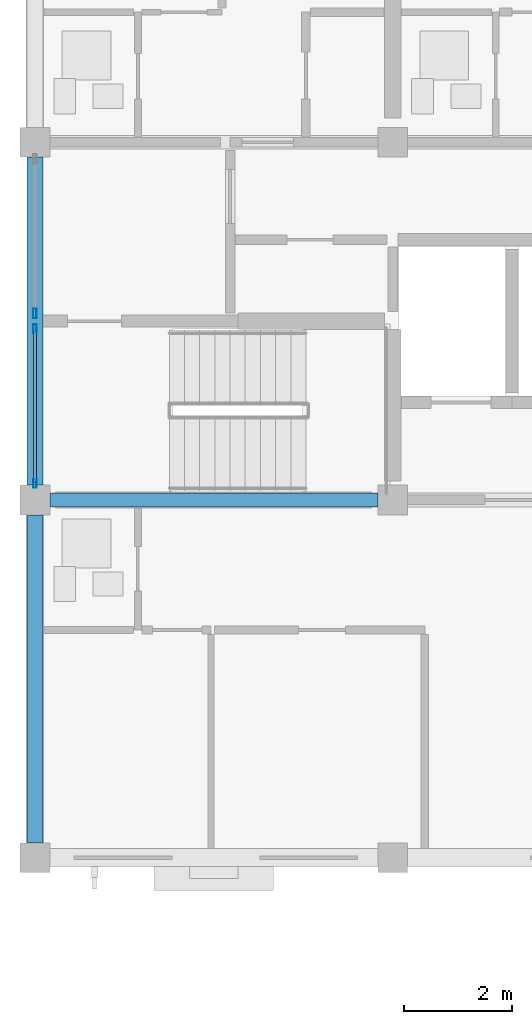
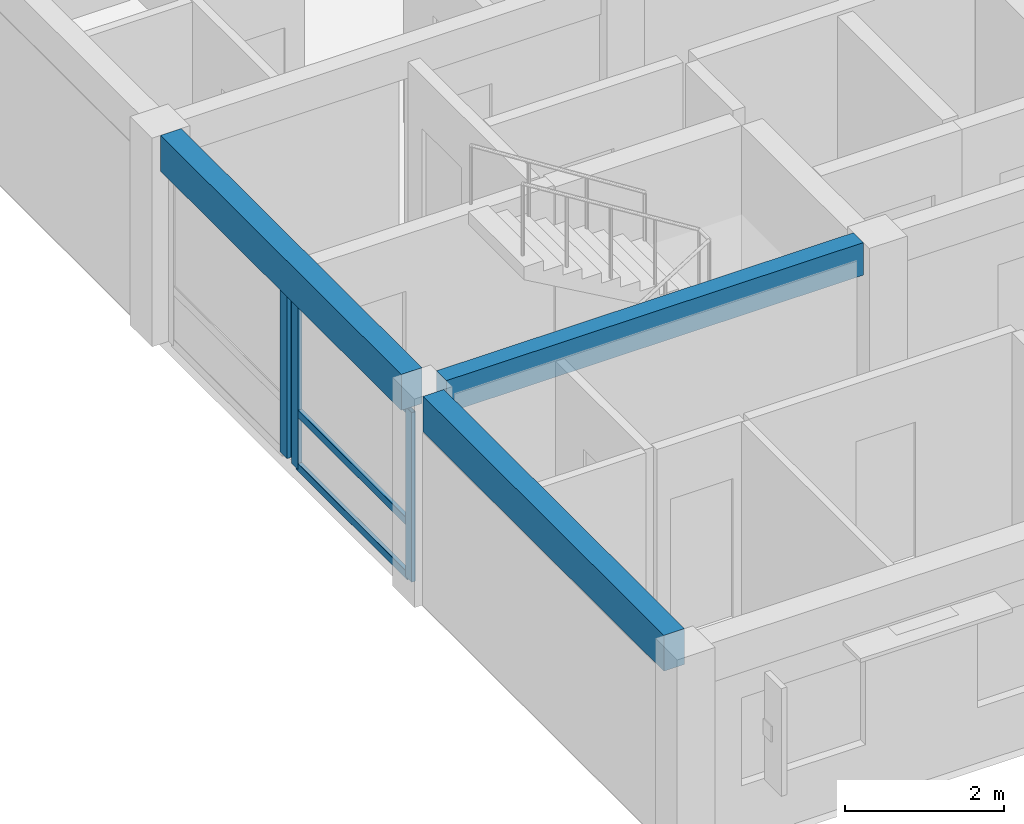
# One storey, part 15 of 53: 6 members, 3 beams, 2 elements without a shape of their own.
"""IFC4 building model written with IfcOpenShell, lengths in metres."""

import ifcopenshell
import ifcopenshell.guid

model = None  # the IFC model being written
_history = None  # IfcOwnerHistory: only IFC2X3 demands one
_inside = {}  # id of a spatial element -> (the spatial element, [elements in it])
_under = {}  # id of a project, library or spatial element -> (it, [spatial elements below it])
_declared = {}  # id of a project -> (the project, [libraries it declares])
_typed = {}  # id of a type object -> (the type object, [elements of that type])
_made_of = {}  # id of a material, layer set ... -> (it, [elements and type objects made of it])


def new_model(schema):
    """Start an empty IFC model of exactly this schema.

    Asked for "IFC4X3", IfcOpenShell would pick the latest addendum, in which some entities
    have other attributes; the version numbers below select the first issue.
    IFC2X3 requires an IfcOwnerHistory on every rooted entity: one is made here for all.
    """
    global model, _history
    if schema == "IFC4X3":
        model = ifcopenshell.file(schema_version=(4, 3, 0, 0))
    else:
        model = ifcopenshell.file(schema=schema)
    _inside.clear()
    _under.clear()
    _declared.clear()
    _typed.clear()
    _made_of.clear()
    _history = None
    if model.schema == "IFC2X3":
        org = make("IfcOrganization", Name="unknown")
        user = make(
            "IfcPersonAndOrganization",
            ThePerson=make("IfcPerson", FamilyName="unknown"),
            TheOrganization=org,
        )
        app = make(
            "IfcApplication",
            ApplicationDeveloper=org,
            Version="unknown",
            ApplicationFullName="unknown",
            ApplicationIdentifier="unknown",
        )
        _history = make(
            "IfcOwnerHistory",
            OwningUser=user,
            OwningApplication=app,
            ChangeAction="ADDED",
            CreationDate=0,
        )
    return model


def make(cls, **values):
    """One entity of the class cls with the attributes given. An attribute that is None is left unset."""
    return model.create_entity(
        cls, **{name: value for name, value in values.items() if value is not None}
    )


def rooted(cls, **values):
    """An entity with a GlobalId (a new one), such as an element, a storey or a relation."""
    return make(cls, GlobalId=ifcopenshell.guid.new(), OwnerHistory=_history, **values)


def si_unit(unit_type, name, prefix=None):
    """IfcSIUnit, for example si_unit("LENGTHUNIT", "METRE", prefix="MILLI")."""
    return make("IfcSIUnit", UnitType=unit_type, Prefix=prefix, Name=name)


def assignment(units):
    """IfcUnitAssignment: the units of a project."""
    return None if units is None else make("IfcUnitAssignment", Units=units)


def point(xyz):
    """IfcCartesianPoint."""
    return None if xyz is None else make("IfcCartesianPoint", Coordinates=xyz)


def direction(xyz):
    """IfcDirection."""
    return None if xyz is None else make("IfcDirection", DirectionRatios=xyz)


def frame(location, z_axis=None, x_axis=None):
    """IfcAxis2Placement3D, a coordinate frame: its origin and axes. An axis left out is left unset."""
    return make(
        "IfcAxis2Placement3D",
        Location=point(location),
        Axis=direction(z_axis),
        RefDirection=direction(x_axis),
    )


def frame_2d(location, x_axis=None):
    """IfcAxis2Placement2D, a coordinate frame in the plane: its origin and x axis."""
    return make(
        "IfcAxis2Placement2D", Location=point(location), RefDirection=direction(x_axis)
    )


def origin():
    """The frame at (0, 0, 0) with its axes left unset."""
    return frame((0.0, 0.0, 0.0))


def origin_2d():
    """The frame at (0, 0) in the plane with its x axis left unset."""
    return frame_2d((0.0, 0.0))


def place(relative_to, where):
    """IfcLocalPlacement: puts the frame where relative to a parent placement (None: the world)."""
    return make(
        "IfcLocalPlacement", PlacementRelTo=relative_to, RelativePlacement=where
    )


def context(
    kind, dimensions, precision=None, world=None, true_north=None, identifier=None
):
    """IfcGeometricRepresentationContext, for example the 3D "Model" context."""
    return make(
        "IfcGeometricRepresentationContext",
        ContextIdentifier=identifier,
        ContextType=kind,
        CoordinateSpaceDimension=dimensions,
        Precision=precision,
        WorldCoordinateSystem=world,
        TrueNorth=true_north,
    )


def subcontext(parent, identifier, kind, view, scale=None):
    """IfcGeometricRepresentationSubContext, for example "Body" below "Model"."""
    return make(
        "IfcGeometricRepresentationSubContext",
        ContextIdentifier=identifier,
        ContextType=kind,
        ParentContext=parent,
        TargetScale=scale,
        TargetView=view,
    )


def project(units=None, contexts=None):
    """IfcProject with its units and contexts."""
    return rooted(
        "IfcProject",
        Name="project",
        RepresentationContexts=contexts,
        UnitsInContext=assignment(units),
    )


def spatial(cls, under=None, at=None, **own):
    """A site, building, storey or space (cls), placed at a placement, below another one or the project."""
    s = rooted(cls, ObjectPlacement=at, **own)
    if under is not None:
        _under.setdefault(under.id(), (under, []))[1].append(s)
    return s


def profile(cls, at=None, kind="AREA", **sizes):
    """A parametric profile (cls). Its sizes go by their IFC names, for example OverallWidth=200.0."""
    return make(cls, ProfileType=kind, Position=at, **sizes)


def rectangle(**sizes):
    """IfcRectangleProfileDef."""
    return profile("IfcRectangleProfileDef", **sizes)


def hollow_rectangle(**sizes):
    """IfcRectangleHollowProfileDef."""
    return profile("IfcRectangleHollowProfileDef", **sizes)


def extrude(swept, where, along, depth):
    """IfcExtrudedAreaSolid: the profile swept, set in the frame where, extruded along a direction by depth."""
    return make(
        "IfcExtrudedAreaSolid",
        SweptArea=swept,
        Position=where,
        ExtrudedDirection=direction(along),
        Depth=depth,
    )


def shape(context_of_items, identifier, shape_type, items):
    """IfcShapeRepresentation: the items that make up one representation, for example the "Body"."""
    return make(
        "IfcShapeRepresentation",
        ContextOfItems=context_of_items,
        RepresentationIdentifier=identifier,
        RepresentationType=shape_type,
        Items=items,
    )


def material(Name=None, Category=None):
    """IfcMaterial."""
    return make("IfcMaterial", Name=Name, Category=Category)


def material_profile(
    of_material, cross_section, Name=None, Category=None, Priority=None
):
    """IfcMaterialProfile: a cross section and its material."""
    return make(
        "IfcMaterialProfile",
        Name=Name,
        Material=of_material,
        Profile=cross_section,
        Priority=Priority,
        Category=Category,
    )


def profile_set(profiles, Name=None, composite=None):
    """IfcMaterialProfileSet."""
    return make(
        "IfcMaterialProfileSet",
        Name=Name,
        MaterialProfiles=profiles,
        CompositeProfile=composite,
    )


def made_of(thing, what):
    """Note that an element or type object is made of a material, layer set ...; save() writes the relation."""
    if what is not None:
        _made_of.setdefault(what.id(), (what, []))[1].append(thing)
    return thing


def type_object(cls, material=None, **own):
    """A type object (cls), such as IfcWallType, which elements share."""
    return made_of(rooted(cls, **own), material)


def element(
    cls,
    number,
    at=None,
    inside=None,
    cuts=None,
    type_object=None,
    material=None,
    context=None,
    identifier="Body",
    shape_type=None,
    held_by="IfcProductDefinitionShape",
    body=None,
    shapes=None,
    **own,
):
    """One element of the class cls, such as IfcWall. Its Tag is "e" and its number.

    at: its placement. inside: the storey or other place that contains it. cuts: it is an
    opening in that element (IfcRelVoidsElement). A single representation is given by context,
    identifier, shape_type and body (its items); several are given by shapes. held_by: the class
    of the entity that holds the representations. save() writes the other relations.
    """
    e = rooted(cls, Tag="e%d" % number, ObjectPlacement=at, **own)
    if body is not None:
        shapes = [shape(context, identifier, shape_type, body)]
    if shapes is not None:
        e.Representation = make(held_by, Representations=shapes)
    if inside is not None:
        _inside.setdefault(inside.id(), (inside, []))[1].append(e)
    if cuts is not None:
        rooted(
            "IfcRelVoidsElement", RelatingBuildingElement=cuts, RelatedOpeningElement=e
        )
    if type_object is not None:
        _typed.setdefault(type_object.id(), (type_object, []))[1].append(e)
    return made_of(e, material)


def aggregate(whole, parts):
    """IfcRelAggregates: a whole, such as a stair, and the parts it consists of."""
    return rooted("IfcRelAggregates", RelatingObject=whole, RelatedObjects=parts)


def save(model, path):
    """Write the relations noted so far, then the file.

    IfcRelAggregates (storeys below a building ...), IfcRelContainedInSpatialStructure (elements
    in a storey), IfcRelDefinesByType, IfcRelAssociatesMaterial and IfcRelDeclares: one each for
    every whole, place, type object, material and project.
    """
    for whole, parts in _under.values():
        aggregate(whole, parts)
    for where, things in _inside.values():
        rooted(
            "IfcRelContainedInSpatialStructure",
            RelatedElements=things,
            RelatingStructure=where,
        )
    for kind, things in _typed.values():
        rooted("IfcRelDefinesByType", RelatedObjects=things, RelatingType=kind)
    for what, things in _made_of.values():
        rooted("IfcRelAssociatesMaterial", RelatedObjects=things, RelatingMaterial=what)
    for by, libraries in _declared.values():
        rooted("IfcRelDeclares", RelatingContext=by, RelatedDefinitions=libraries)
    model.write(path)


model = new_model("IFC4")

# Units and contexts
model_context = context("Model", 3, precision=1e-05, world=origin(), true_north=direction((0.0, 1.0)))
body_context = subcontext(model_context, "Body", "Model", "MODEL_VIEW")
ifc_project = project(units=[si_unit("LENGTHUNIT", "METRE"), si_unit("AREAUNIT", "SQUARE_METRE"), si_unit("VOLUMEUNIT", "CUBIC_METRE"), si_unit("PLANEANGLEUNIT", "RADIAN"), si_unit("MASSUNIT", "GRAM", prefix="KILO")], contexts=[model_context])

# Site, building, storey
site_placement = place(None, origin())
site = spatial("IfcSite", under=ifc_project, at=site_placement, CompositionType="ELEMENT")
building_placement = place(site_placement, origin())
building = spatial("IfcBuilding", under=site, at=building_placement, Name="Kernevlak Ridge Housing Community", CompositionType="ELEMENT")
storey_placement = place(building_placement, frame((0.0, 0.0, 24.39990234375)))
storey = spatial("IfcBuildingStorey", under=building, at=storey_placement, Name="L07", CompositionType="ELEMENT", Elevation=24.39990234375)

# Beam
ifc_material_1 = material(Name="Concrete C35/45", Category="concrete")
ifc_material_profile_1 = material_profile(ifc_material_1, rectangle(XDim=0.25, YDim=0.5, at=origin_2d()), Name="RC 250x500")
ifc_profile_set_1 = profile_set([ifc_material_profile_1], Name="Concrete C35/45")
beam_type_1 = type_object("IfcBeamType", Name="B-06", PredefinedType="T_BEAM", material=ifc_profile_set_1)
beam_placement = place(storey_placement, frame((15.875, 82.60009765625, 2.9501953125), z_axis=(1.0, 0.0, 0.0), x_axis=(0.0, 1.0, 0.0)))
element("IfcBeam", 1, at=beam_placement, inside=storey, type_object=beam_type_1, Name="Beam B-06 L07 244", PredefinedType="T_BEAM", context=body_context, shape_type="SweptSolid", body=[
    extrude(rectangle(XDim=0.25, YDim=0.5, at=origin_2d()), origin(), (0.0, 0.0, 1.0), 6.050048828125),
])

# Curtain wall, members
ifc_material_2 = material(Name="Aluminium EN AW-6060 anodised and laminated glass", Category="aluminium")
curtain_wall_type_1 = type_object("IfcCurtainWallType", Name="CW-01", PredefinedType="NOTDEFINED", material=ifc_material_2)
curtain_wall_1_placement = place(storey_placement, origin())
curtain_wall_1 = element("IfcCurtainWall", 2, at=curtain_wall_1_placement, inside=storey, type_object=curtain_wall_type_1, Name="Curtain wall CW-01 CW-L07-022", PredefinedType="NOTDEFINED")
ifc_material_3 = material(Name="Aluminium EN AW-6060 anodised", Category="aluminium")
ifc_material_profile_2 = material_profile(ifc_material_3, hollow_rectangle(XDim=0.06005859375, YDim=0.159912109375, WallThickness=0.00390625, InnerFilletRadius=0.001953125, OuterFilletRadius=0.00390625, at=origin_2d()), Name="ALU 60x160x4")
ifc_profile_set_2 = profile_set([ifc_material_profile_2], Name="Aluminium EN AW-6060 anodised")
member_type_1 = type_object("IfcMemberType", Name="MU-02", PredefinedType="MULLION", material=ifc_profile_set_2)
member_1_placement = place(storey_placement, frame((15.60009765625, 82.905029296875, 0.0), z_axis=(0.0, 0.0, 1.0), x_axis=(-1.0, 0.0, 0.0)))
member_1 = element("IfcMember", 3, at=member_1_placement, type_object=member_type_1, Name="CW-01 mullion 1", PredefinedType="MULLION", context=body_context, shape_type="SweptSolid", body=[
    extrude(hollow_rectangle(XDim=0.06005859375, YDim=0.159912109375, WallThickness=0.00390625, InnerFilletRadius=0.001953125, OuterFilletRadius=0.00390625, at=origin_2d()), origin(), (0.0, 0.0, 1.0), 2.60009765625),
])
member_2_placement = place(storey_placement, frame((15.60009765625, 85.760009765625, 0.0), z_axis=(0.0, 0.0, 1.0), x_axis=(-1.0, 0.0, 0.0)))
member_2 = element("IfcMember", 4, at=member_2_placement, type_object=member_type_1, Name="CW-01 mullion 2", PredefinedType="MULLION", context=body_context, shape_type="SweptSolid", body=[
    extrude(hollow_rectangle(XDim=0.06005859375, YDim=0.159912109375, WallThickness=0.00390625, InnerFilletRadius=0.001953125, OuterFilletRadius=0.00390625, at=origin_2d()), origin(), (0.0, 0.0, 1.0), 2.60009765625),
])

# Curtain wall, member
curtain_wall_type_2 = type_object("IfcCurtainWallType", Name="CW-08", PredefinedType="NOTDEFINED", material=ifc_material_2)
curtain_wall_2_placement = place(storey_placement, origin())
curtain_wall_2 = element("IfcCurtainWall", 5, at=curtain_wall_2_placement, inside=storey, type_object=curtain_wall_type_2, Name="Curtain wall CW-08 CW-L07-023", PredefinedType="NOTDEFINED")
ifc_material_profile_3 = material_profile(ifc_material_3, hollow_rectangle(XDim=0.06494140625, YDim=0.179931640625, WallThickness=0.00439453125, InnerFilletRadius=0.001953125, OuterFilletRadius=0.00439453125, at=origin_2d()), Name="ALU 65x180x4.5")
ifc_profile_set_3 = profile_set([ifc_material_profile_3], Name="Aluminium EN AW-6060 anodised")
member_type_2 = type_object("IfcMemberType", Name="MU-03", PredefinedType="MULLION", material=ifc_profile_set_3)
member_3_placement = place(storey_placement, frame((15.60009765625, 86.04248046875, 0.0), z_axis=(0.0, 0.0, 1.0), x_axis=(-1.0, 0.0, 0.0)))
member_3 = element("IfcMember", 6, at=member_3_placement, type_object=member_type_2, Name="CW-08 mullion 1", PredefinedType="MULLION", context=body_context, shape_type="SweptSolid", body=[
    extrude(hollow_rectangle(XDim=0.06494140625, YDim=0.179931640625, WallThickness=0.00439453125, InnerFilletRadius=0.001953125, OuterFilletRadius=0.00439453125, at=origin_2d()), origin(), (0.0, 0.0, 1.0), 2.60009765625),
])
aggregate(curtain_wall_2, [member_3])

# Beams
ifc_material_profile_4 = material_profile(ifc_material_1, rectangle(XDim=0.300048828125, YDim=0.550048828125, at=origin_2d()), Name="RC 300x550")
ifc_profile_set_4 = profile_set([ifc_material_profile_4], Name="Concrete C35/45")
beam_type_2 = type_object("IfcBeamType", Name="SP-01", PredefinedType="SPANDREL", material=ifc_profile_set_4)
for number, where, z_axis, x_axis, name in (
    (7, (15.60009765625, 76.27490234375, 2.925048828125), (0.0, 1.0, 0.0), (-1.0, 0.0, 0.0), "Beam SP-01 L07 259"),
    (8, (15.60009765625, 82.875, 2.925048828125), (0.0, 1.0, 0.0), (-1.0, 0.0, 0.0), "Beam SP-01 L07 260"),
):
    element("IfcBeam", number, at=place(storey_placement, frame(where, z_axis=z_axis, x_axis=x_axis)), inside=storey, type_object=beam_type_2, Name=name, PredefinedType="SPANDREL", context=body_context, shape_type="SweptSolid", body=[
        extrude(rectangle(XDim=0.300048828125, YDim=0.550048828125, at=origin_2d()), origin(), (0.0, 0.0, 1.0), 6.050048828125),
    ])

# Member
ifc_material_profile_5 = material_profile(ifc_material_3, hollow_rectangle(XDim=0.06005859375, YDim=0.1201171875, WallThickness=0.00390625, InnerFilletRadius=0.001953125, OuterFilletRadius=0.00390625, at=origin_2d()), Name="ALU 60x120x4")
ifc_profile_set_5 = profile_set([ifc_material_profile_5], Name="Aluminium EN AW-6060 anodised")
member_type_3 = type_object("IfcMemberType", Name="TM-02", PredefinedType="USERDEFINED", material=ifc_profile_set_5)
member_4_placement = place(storey_placement, frame((15.60009765625, 82.93505859375, 0.030029296875), z_axis=(0.0, 1.0, 0.0), x_axis=(-1.0, 0.0, 0.0)))
member_4 = element("IfcMember", 9, at=member_4_placement, type_object=member_type_3, Name="CW-01 transom 1.1", ObjectType="TRANSOM", PredefinedType="USERDEFINED", context=body_context, shape_type="SweptSolid", body=[
    extrude(hollow_rectangle(XDim=0.06005859375, YDim=0.1201171875, WallThickness=0.00390625, InnerFilletRadius=0.001953125, OuterFilletRadius=0.00390625, at=origin_2d()), origin(), (0.0, 0.0, 1.0), 2.794921875),
])

member_5_placement = place(storey_placement, frame((15.60009765625, 82.93505859375, 0.85009765625), z_axis=(0.0, 1.0, 0.0), x_axis=(-1.0, 0.0, 0.0)))
member_5 = element("IfcMember", 10, at=member_5_placement, type_object=member_type_3, Name="CW-01 transom 1.2", ObjectType="TRANSOM", PredefinedType="USERDEFINED", context=body_context, shape_type="SweptSolid", body=[
    extrude(hollow_rectangle(XDim=0.06005859375, YDim=0.1201171875, WallThickness=0.00390625, InnerFilletRadius=0.001953125, OuterFilletRadius=0.00390625, at=origin_2d()), origin(), (0.0, 0.0, 1.0), 2.794921875),
])

member_6_placement = place(storey_placement, frame((15.60009765625, 82.93505859375, 2.570068359375), z_axis=(0.0, 1.0, 0.0), x_axis=(-1.0, 0.0, 0.0)))
member_6 = element("IfcMember", 11, at=member_6_placement, type_object=member_type_3, Name="CW-01 transom 1.3", ObjectType="TRANSOM", PredefinedType="USERDEFINED", context=body_context, shape_type="SweptSolid", body=[
    extrude(hollow_rectangle(XDim=0.06005859375, YDim=0.1201171875, WallThickness=0.00390625, InnerFilletRadius=0.001953125, OuterFilletRadius=0.00390625, at=origin_2d()), origin(), (0.0, 0.0, 1.0), 2.794921875),
])

aggregate(curtain_wall_1, [member_1, member_2, member_4, member_5, member_6])

save(model, "model.ifc")
